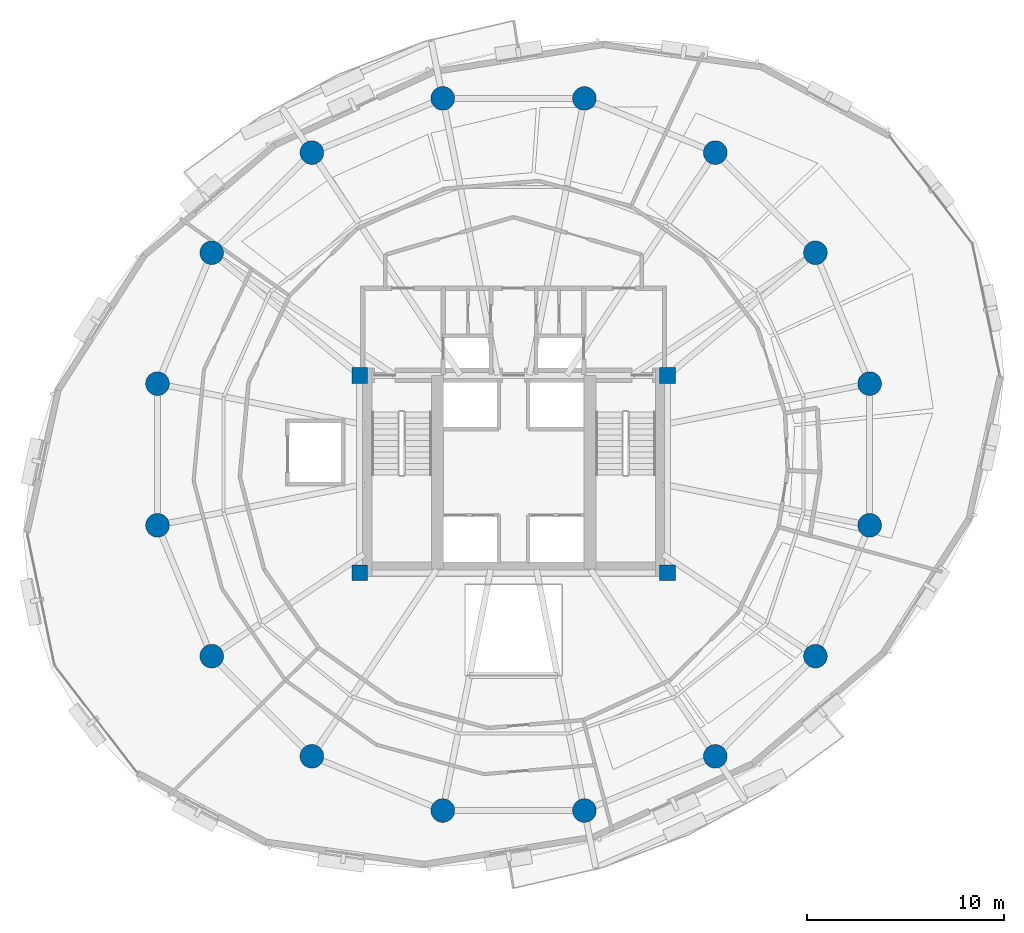
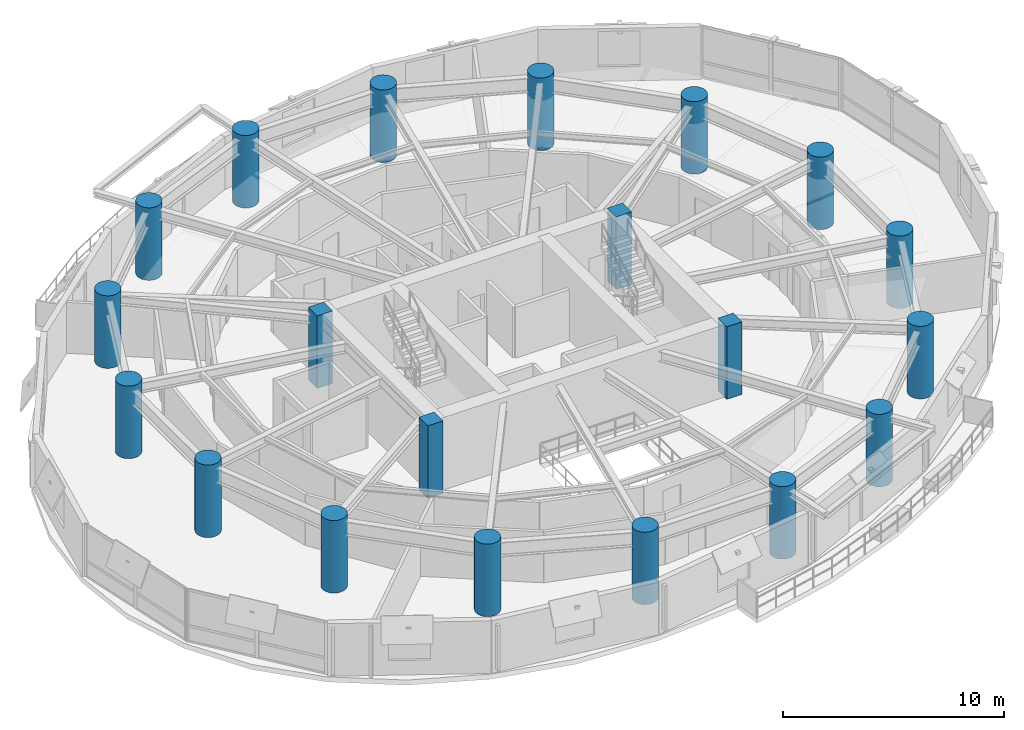
# One storey, part 1 of 14: 20 columns.
"""IFC4 building model written with IfcOpenShell, lengths in metres."""

from ifc_helpers import new_model, si_unit, direction, frame, origin, origin_2d, place, context, subcontext, project, spatial, rectangle, circle, extrude, material, material_profile, profile_set, type_object, element, save


model = new_model("IFC4")

# Units and contexts
model_context = context("Model", 3, precision=1e-05, world=origin(), true_north=direction((0.0, 1.0)))
body_context = subcontext(model_context, "Body", "Model", "MODEL_VIEW")
ifc_project = project(units=[si_unit("LENGTHUNIT", "METRE"), si_unit("AREAUNIT", "SQUARE_METRE"), si_unit("VOLUMEUNIT", "CUBIC_METRE"), si_unit("PLANEANGLEUNIT", "RADIAN"), si_unit("MASSUNIT", "GRAM", prefix="KILO"), si_unit("THERMODYNAMICTEMPERATUREUNIT", "KELVIN"), si_unit("POWERUNIT", "WATT")], contexts=[model_context])

# Site, building, storey
site_placement = place(None, origin())
site = spatial("IfcSite", under=ifc_project, at=site_placement, CompositionType="ELEMENT")
building_placement = place(site_placement, origin())
building = spatial("IfcBuilding", under=site, at=building_placement, Name="Ocrelia Relay Tower", CompositionType="ELEMENT")
storey_placement = place(building_placement, frame((0.0, 0.0, 137.800048828125)))
storey = spatial("IfcBuildingStorey", under=building, at=storey_placement, Name="L32", CompositionType="ELEMENT", Elevation=137.800048828125)

# Columns
ifc_material = material(Name="Concrete C60/75", Category="concrete")
ifc_material_profile_1 = material_profile(ifc_material, circle(Radius=0.60009765625, at=origin_2d()), Name="RC-CIR-1200")
ifc_profile_set_1 = profile_set([ifc_material_profile_1], Name="Concrete C60/75")
column_type_1 = type_object("IfcColumnType", Name="COL-CT-1200", PredefinedType="COLUMN", material=ifc_profile_set_1)
for number, where, z_axis, x_axis, name in (
    (1, (52.04638671875, 29.589599609375, 0.0), (0.0, 0.0, 1.0), (1.0, 0.0, 0.0), "L32 Perimeter Ring Column C01"),
    (2, (49.299072265625, 36.222412109375, 0.0), (0.0, 0.0, 1.0), (1.0, 0.0, 0.0), "L32 Perimeter Ring Column C02"),
    (3, (44.222412109375, 41.299072265625, 0.0), (0.0, 0.0, 1.0), (1.0, 0.0, 0.0), "L32 Perimeter Ring Column C03"),
    (4, (37.589599609375, 44.04638671875, 0.0), (0.0, 0.0, 1.0), (1.0, 0.0, 0.0), "L32 Perimeter Ring Column C04"),
    (5, (30.410400390625, 44.04638671875, 0.0), (0.0, 0.0, 1.0), (1.0, 0.0, 0.0), "L32 Perimeter Ring Column C05"),
    (6, (23.777587890625, 41.299072265625, 0.0), (0.0, 0.0, 1.0), (1.0, 0.0, 0.0), "L32 Perimeter Ring Column C06"),
    (7, (18.700927734375, 36.222412109375, 0.0), (0.0, 0.0, 1.0), (1.0, 0.0, 0.0), "L32 Perimeter Ring Column C07"),
    (8, (15.95361328125, 29.589599609375, 0.0), (0.0, 0.0, 1.0), (1.0, 0.0, 0.0), "L32 Perimeter Ring Column C08"),
    (9, (15.95361328125, 22.410400390625, 0.0), (0.0, 0.0, 1.0), (1.0, 0.0, 0.0), "L32 Perimeter Ring Column C09"),
    (10, (18.700927734375, 15.777587890625, 0.0), (0.0, 0.0, 1.0), (1.0, 0.0, 0.0), "L32 Perimeter Ring Column C10"),
    (11, (23.777587890625, 10.700927734375, 0.0), (0.0, 0.0, 1.0), (1.0, 0.0, 0.0), "L32 Perimeter Ring Column C11"),
    (12, (30.410400390625, 7.95361328125, 0.0), (0.0, 0.0, 1.0), (1.0, 0.0, 0.0), "L32 Perimeter Ring Column C12"),
    (13, (37.589599609375, 7.95361328125, 0.0), (0.0, 0.0, 1.0), (1.0, 0.0, 0.0), "L32 Perimeter Ring Column C13"),
    (14, (44.222412109375, 10.700927734375, 0.0), (0.0, 0.0, 1.0), (1.0, 0.0, 0.0), "L32 Perimeter Ring Column C14"),
    (15, (49.299072265625, 15.777587890625, 0.0), (0.0, 0.0, 1.0), (1.0, 0.0, 0.0), "L32 Perimeter Ring Column C15"),
    (16, (52.04638671875, 22.410400390625, 0.0), (0.0, 0.0, 1.0), (1.0, 0.0, 0.0), "L32 Perimeter Ring Column C16"),
):
    element("IfcColumn", number, at=place(storey_placement, frame(where, z_axis=z_axis, x_axis=x_axis)), inside=storey, type_object=column_type_1, Name=name, PredefinedType="COLUMN", context=body_context, shape_type="SweptSolid", body=[
        extrude(circle(Radius=0.60009765625, at=origin_2d()), origin(), (0.0, 0.0, 1.0), 4.0),
    ])
ifc_material_profile_2 = material_profile(ifc_material, rectangle(XDim=0.800048828125, YDim=0.800048828125, at=origin_2d()), Name="RC-COL-800x800")
ifc_profile_set_2 = profile_set([ifc_material_profile_2], Name="Concrete C60/75")
column_type_2 = type_object("IfcColumnType", Name="COL-PILASTER-800", PredefinedType="PILASTER", material=ifc_profile_set_2)
for number, where, z_axis, x_axis, name in (
    (17, (26.199951171875, 20.0, 0.0), (0.0, 0.0, 1.0), (1.0, 0.0, 0.0), "L32 Core Corner Pilaster SW"),
    (18, (41.800048828125, 20.0, 0.0), (0.0, 0.0, 1.0), (1.0, 0.0, 0.0), "L32 Core Corner Pilaster SE"),
    (19, (26.199951171875, 30.0, 0.0), (0.0, 0.0, 1.0), (1.0, 0.0, 0.0), "L32 Core Corner Pilaster NW"),
    (20, (41.800048828125, 30.0, 0.0), (0.0, 0.0, 1.0), (1.0, 0.0, 0.0), "L32 Core Corner Pilaster NE"),
):
    element("IfcColumn", number, at=place(storey_placement, frame(where, z_axis=z_axis, x_axis=x_axis)), inside=storey, type_object=column_type_2, Name=name, PredefinedType="PILASTER", context=body_context, shape_type="SweptSolid", body=[
        extrude(rectangle(XDim=0.800048828125, YDim=0.800048828125, at=origin_2d()), origin(), (0.0, 0.0, 1.0), 4.0),
    ])

save(model, "model.ifc")
